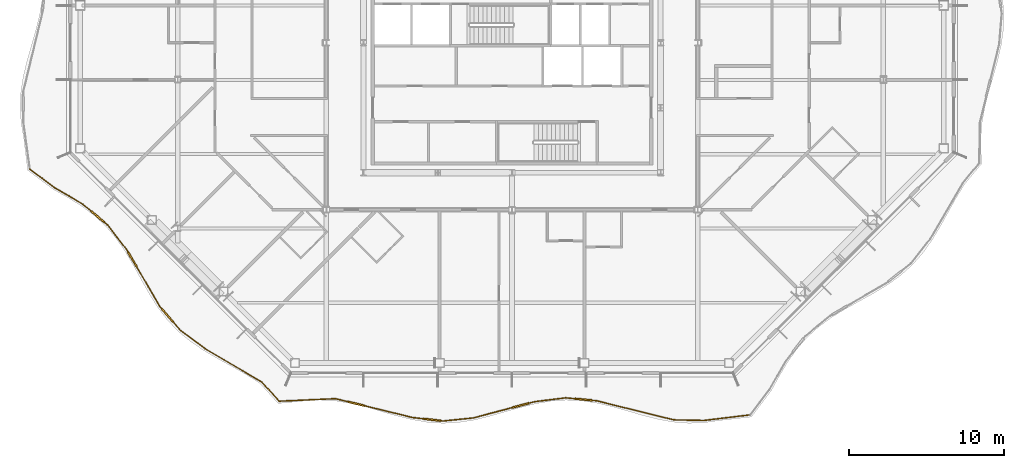
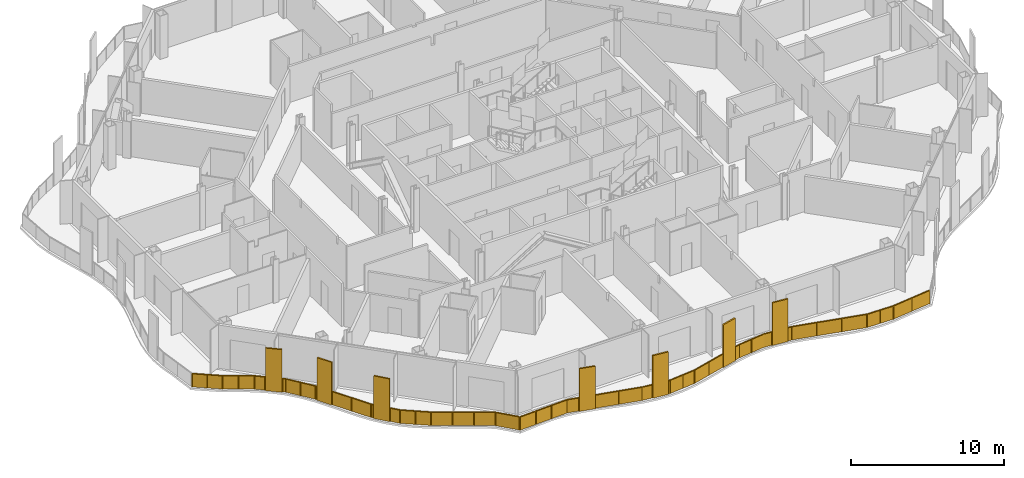
# One storey, part 15 of 21: 2 railings.
"""IFC4 building model written with IfcOpenShell, lengths in metres."""

from ifc_helpers import new_model, si_unit, direction, frame, origin, origin_2d, place, context, subcontext, project, spatial, polyline, rectangle, outline, extrude, material, type_object, element, save


model = new_model("IFC4")

# Units and contexts
model_context = context("Model", 3, precision=1e-05, world=origin(), true_north=direction((0.0, 1.0)))
body_context = subcontext(model_context, "Body", "Model", "MODEL_VIEW")
ifc_project = project(units=[si_unit("LENGTHUNIT", "METRE"), si_unit("AREAUNIT", "SQUARE_METRE"), si_unit("VOLUMEUNIT", "CUBIC_METRE"), si_unit("PLANEANGLEUNIT", "RADIAN"), si_unit("MASSUNIT", "GRAM", prefix="KILO")], contexts=[model_context])

# Site, building, storey
site_placement = place(None, origin())
site = spatial("IfcSite", under=ifc_project, at=site_placement, CompositionType="ELEMENT")
building_placement = place(site_placement, origin())
building = spatial("IfcBuilding", under=site, at=building_placement, Name="Cairn Pilgrim Tower", CompositionType="ELEMENT")
storey_placement = place(building_placement, frame((0.0, 0.0, 150.60009765625)))
storey = spatial("IfcBuildingStorey", under=building, at=storey_placement, Name="L37", CompositionType="ELEMENT", Elevation=150.60009765625)

# Railings
ifc_material = material(Name="Bronze anodised aluminium rail, posts and fin screens with laminated glass infill", Category="aluminium")
railing_type = type_object("IfcRailingType", Name="BALCONY GUARD WITH FIN SCREENS", PredefinedType="GUARDRAIL", material=ifc_material)
railing_1_placement = place(storey_placement, frame((-7.8486328125, -20.7666015625, 0.0)))
element("IfcRailing", 1, at=railing_1_placement, inside=storey, type_object=railing_type, Name="Balcony guard BGF-1 with fin screens", PredefinedType="GUARDRAIL", context=body_context, shape_type="SweptSolid", body=[
    extrude(rectangle(XDim=0.050048828125, YDim=0.050048828125, at=origin_2d()), frame((0.0, 0.0, 1.0751953125), z_axis=(0.999005340893, 0.044590681391, 0.0), x_axis=(-0.044590681391, 0.999005340893, 0.0)), (0.0, 0.0, 1.0), 3.646484375),
    extrude(rectangle(XDim=1.10009765625, YDim=0.110107421875, at=origin_2d()), frame((4.96533203125, -0.16064453125, 0.0), z_axis=(0.0, 0.0, 1.0), x_axis=(0.97139338886, -0.237476070539, 0.0)), (0.0, 0.0, 1.0), 3.39990234375),
    extrude(rectangle(XDim=0.050048828125, YDim=0.050048828125, at=origin_2d()), frame((3.642822265625, 0.16259765625, 1.0751953125), z_axis=(0.97139338886, -0.237476070539, 0.0), x_axis=(0.237476070539, 0.97139338886, 0.0)), (0.0, 0.0, 1.0), 0.811279296875),
    extrude(rectangle(XDim=0.050048828125, YDim=0.050048828125, at=origin_2d()), frame((5.49951171875, -0.291259765625, 1.0751953125), z_axis=(0.97139338886, -0.237476070539, 0.0), x_axis=(0.237476070539, 0.97139338886, 0.0)), (0.0, 0.0, 1.0), 3.21240234375),
    extrude(rectangle(XDim=1.10009765625, YDim=0.110107421875, at=origin_2d()), frame((9.885498046875, -1.201416015625, 0.0), z_axis=(0.0, 0.0, 1.0), x_axis=(0.993305070105, -0.115520724129, 0.0)), (0.0, 0.0, 1.0), 3.39990234375),
    extrude(rectangle(XDim=0.050048828125, YDim=0.050048828125, at=origin_2d()), frame((8.6201171875, -1.05419921875, 1.0751953125), z_axis=(0.993305070105, -0.115520724129, 0.0), x_axis=(0.115520724129, 0.993305070105, 0.0)), (0.0, 0.0, 1.0), 0.723876953125),
    extrude(rectangle(XDim=0.050048828125, YDim=0.050048828125, at=origin_2d()), frame((10.431884765625, -1.264892578125, 1.0751953125), z_axis=(0.993305070105, -0.115520724129, 0.0), x_axis=(0.115520724129, 0.993305070105, 0.0)), (0.0, 0.0, 1.0), 0.150146484375),
    extrude(rectangle(XDim=0.050048828125, YDim=0.050048828125, at=origin_2d()), frame((10.580810546875, -1.2822265625, 1.0751953125), z_axis=(0.994851257597, 0.101345820132, 0.0), x_axis=(-0.101345820132, 0.994851257597, 0.0)), (0.0, 0.0, 1.0), 1.96826171875),
    extrude(rectangle(XDim=1.10009765625, YDim=0.110107421875, at=origin_2d()), frame((15.602294921875, -0.269775390625, 0.0), z_axis=(0.0, 0.0, 1.0), x_axis=(0.966535100844, 0.256534400882, 0.0)), (0.0, 0.0, 1.0), 3.39990234375),
    extrude(rectangle(XDim=0.050048828125, YDim=0.050048828125, at=origin_2d()), frame((12.538818359375, -1.082763671875, 1.0751953125), z_axis=(0.966535100844, 0.256534400882, 0.0), x_axis=(-0.256534400882, 0.966535100844, 0.0)), (0.0, 0.0, 1.0), 2.61962890625),
    extrude(rectangle(XDim=0.050048828125, YDim=0.050048828125, at=origin_2d()), frame((16.1337890625, -0.128662109375, 1.0751953125), z_axis=(0.966535100844, 0.256534400882, 0.0), x_axis=(-0.256534400882, 0.966535100844, 0.0)), (0.0, 0.0, 1.0), 0.388916015625),
    extrude(rectangle(XDim=0.050048828125, YDim=0.050048828125, at=origin_2d()), frame((16.509765625, -0.02880859375, 1.0751953125), z_axis=(0.992651170077, 0.121010968696, 0.0), x_axis=(-0.121010968696, 0.992651170077, 0.0)), (0.0, 0.0, 1.0), 2.027587890625),
    extrude(rectangle(XDim=1.10009765625, YDim=0.110107421875, at=origin_2d()), frame((19.68408203125, 0.10498046875, 0.0), z_axis=(0.0, 0.0, 1.0), x_axis=(0.995421403398, -0.095583626514, 0.0)), (0.0, 0.0, 1.0), 3.39990234375),
    extrude(rectangle(XDim=0.050048828125, YDim=0.050048828125, at=origin_2d()), frame((18.5224609375, 0.216552734375, 1.0751953125), z_axis=(0.995421403398, -0.095583626514, 0.0), x_axis=(0.095583626514, 0.995421403398, 0.0)), (0.0, 0.0, 1.0), 0.616943359375),
    extrude(rectangle(XDim=0.050048828125, YDim=0.050048828125, at=origin_2d()), frame((20.231689453125, 0.052490234375, 1.0751953125), z_axis=(0.995421403398, -0.095583626514, 0.0), x_axis=(0.095583626514, 0.995421403398, 0.0)), (0.0, 0.0, 1.0), 0.305908203125),
    extrude(rectangle(XDim=0.050048828125, YDim=0.050048828125, at=origin_2d()), frame((20.5361328125, 0.023193359375, 1.0751953125), z_axis=(0.970657421305, -0.240466568292, 0.0), x_axis=(0.240466568292, 0.970657421305, 0.0)), (0.0, 0.0, 1.0), 5.10986328125),
    extrude(rectangle(XDim=0.050048828125, YDim=0.050048828125, at=origin_2d()), frame((25.49609375, -1.20556640625, 1.0751953125), z_axis=(0.999793681958, -0.020312398125, 0.0), x_axis=(0.020312398125, 0.999793681958, 0.0)), (0.0, 0.0, 1.0), 1.959228515625),
    extrude(rectangle(XDim=0.050048828125, YDim=0.050048828125, at=origin_2d()), frame((27.454833984375, -1.245361328125, 1.0751953125), z_axis=(0.992701364209, 0.120598513666, 0.0), x_axis=(-0.120598513666, 0.992701364209, 0.0)), (0.0, 0.0, 1.0), 2.947509765625),
    extrude(rectangle(XDim=0.050048828125, YDim=0.050048828125, at=origin_2d()), origin(), (0.0, 0.0, 1.0), 1.050048828125),
    extrude(rectangle(XDim=0.050048828125, YDim=0.050048828125, at=origin_2d()), frame((1.21435546875, 0.05419921875, 0.0)), (0.0, 0.0, 1.0), 1.050048828125),
    extrude(rectangle(XDim=0.050048828125, YDim=0.050048828125, at=origin_2d()), frame((2.428466796875, 0.1083984375, 0.0)), (0.0, 0.0, 1.0), 1.050048828125),
    extrude(rectangle(XDim=0.050048828125, YDim=0.050048828125, at=origin_2d()), frame((3.642822265625, 0.16259765625, 0.0)), (0.0, 0.0, 1.0), 1.050048828125),
    extrude(rectangle(XDim=0.050048828125, YDim=0.050048828125, at=origin_2d()), frame((4.40673828125, -0.024169921875, 0.0)), (0.0, 0.0, 1.0), 1.050048828125),
    extrude(rectangle(XDim=0.050048828125, YDim=0.050048828125, at=origin_2d()), frame((5.52392578125, -0.29736328125, 0.0)), (0.0, 0.0, 1.0), 1.050048828125),
    extrude(rectangle(XDim=0.050048828125, YDim=0.050048828125, at=origin_2d()), frame((7.072021484375, -0.67578125, 0.0)), (0.0, 0.0, 1.0), 1.050048828125),
    extrude(rectangle(XDim=0.050048828125, YDim=0.050048828125, at=origin_2d()), frame((8.6201171875, -1.05419921875, 0.0)), (0.0, 0.0, 1.0), 1.050048828125),
    extrude(rectangle(XDim=0.050048828125, YDim=0.050048828125, at=origin_2d()), frame((9.314208984375, -1.135009765625, 0.0)), (0.0, 0.0, 1.0), 1.050048828125),
    extrude(rectangle(XDim=0.050048828125, YDim=0.050048828125, at=origin_2d()), frame((10.45654296875, -1.267822265625, 0.0)), (0.0, 0.0, 1.0), 1.050048828125),
    extrude(rectangle(XDim=0.050048828125, YDim=0.050048828125, at=origin_2d()), frame((10.580810546875, -1.2822265625, 0.0)), (0.0, 0.0, 1.0), 1.050048828125),
    extrude(rectangle(XDim=0.050048828125, YDim=0.050048828125, at=origin_2d()), frame((11.559814453125, -1.1826171875, 0.0)), (0.0, 0.0, 1.0), 1.050048828125),
    extrude(rectangle(XDim=0.050048828125, YDim=0.050048828125, at=origin_2d()), frame((12.538818359375, -1.082763671875, 0.0)), (0.0, 0.0, 1.0), 1.050048828125),
    extrude(rectangle(XDim=0.050048828125, YDim=0.050048828125, at=origin_2d()), frame((13.792724609375, -0.75, 0.0)), (0.0, 0.0, 1.0), 1.050048828125),
    extrude(rectangle(XDim=0.050048828125, YDim=0.050048828125, at=origin_2d()), frame((15.04638671875, -0.417236328125, 0.0)), (0.0, 0.0, 1.0), 1.050048828125),
    extrude(rectangle(XDim=0.050048828125, YDim=0.050048828125, at=origin_2d()), frame((16.157958984375, -0.1220703125, 0.0)), (0.0, 0.0, 1.0), 1.050048828125),
    extrude(rectangle(XDim=0.050048828125, YDim=0.050048828125, at=origin_2d()), frame((16.509765625, -0.02880859375, 0.0)), (0.0, 0.0, 1.0), 1.050048828125),
    extrude(rectangle(XDim=0.050048828125, YDim=0.050048828125, at=origin_2d()), frame((17.51611328125, 0.09375, 0.0)), (0.0, 0.0, 1.0), 1.050048828125),
    extrude(rectangle(XDim=0.050048828125, YDim=0.050048828125, at=origin_2d()), frame((18.5224609375, 0.216552734375, 0.0)), (0.0, 0.0, 1.0), 1.050048828125),
    extrude(rectangle(XDim=0.050048828125, YDim=0.050048828125, at=origin_2d()), frame((19.11181640625, 0.159912109375, 0.0)), (0.0, 0.0, 1.0), 1.050048828125),
    extrude(rectangle(XDim=0.050048828125, YDim=0.050048828125, at=origin_2d()), frame((20.256591796875, 0.050048828125, 0.0)), (0.0, 0.0, 1.0), 1.050048828125),
    extrude(rectangle(XDim=0.050048828125, YDim=0.050048828125, at=origin_2d()), frame((20.5361328125, 0.023193359375, 0.0)), (0.0, 0.0, 1.0), 1.050048828125),
    extrude(rectangle(XDim=0.050048828125, YDim=0.050048828125, at=origin_2d()), frame((22.189453125, -0.386474609375, 0.0)), (0.0, 0.0, 1.0), 1.050048828125),
    extrude(rectangle(XDim=0.050048828125, YDim=0.050048828125, at=origin_2d()), frame((23.8427734375, -0.7958984375, 0.0)), (0.0, 0.0, 1.0), 1.050048828125),
    extrude(rectangle(XDim=0.050048828125, YDim=0.050048828125, at=origin_2d()), frame((25.49609375, -1.20556640625, 0.0)), (0.0, 0.0, 1.0), 1.050048828125),
    extrude(rectangle(XDim=0.050048828125, YDim=0.050048828125, at=origin_2d()), frame((26.4755859375, -1.2255859375, 0.0)), (0.0, 0.0, 1.0), 1.050048828125),
    extrude(rectangle(XDim=0.050048828125, YDim=0.050048828125, at=origin_2d()), frame((27.454833984375, -1.245361328125, 0.0)), (0.0, 0.0, 1.0), 1.050048828125),
    extrude(rectangle(XDim=0.050048828125, YDim=0.050048828125, at=origin_2d()), frame((28.91796875, -1.067626953125, 0.0)), (0.0, 0.0, 1.0), 1.050048828125),
    extrude(rectangle(XDim=0.050048828125, YDim=0.050048828125, at=origin_2d()), frame((30.380859375, -0.889892578125, 0.0)), (0.0, 0.0, 1.0), 1.050048828125),
    extrude(outline(polyline([(0.02490234375, 0.0), (1.1904296875, 0.0), (1.1904296875, 1.050048828125), (0.02490234375, 1.050048828125), (0.02490234375, 0.0)])), frame((-0.000244140625, 0.005859375, 0.0), z_axis=(0.044590681391, -0.999005340893, 0.0), x_axis=(0.999005340893, 0.044590681391, 0.0)), (0.0, 0.0, 1.0), 0.011962890625),
    extrude(outline(polyline([(0.02490234375, 0.0), (1.1904296875, 0.0), (1.1904296875, 1.050048828125), (0.02490234375, 1.050048828125), (0.02490234375, 0.0)])), frame((1.214111328125, 0.06005859375, 0.0), z_axis=(0.044590681391, -0.999005340893, 0.0), x_axis=(0.999005340893, 0.044590681391, 0.0)), (0.0, 0.0, 1.0), 0.011962890625),
    extrude(outline(polyline([(0.02490234375, 0.0), (1.1904296875, 0.0), (1.1904296875, 1.050048828125), (0.02490234375, 1.050048828125), (0.02490234375, 0.0)])), frame((2.42822265625, 0.1142578125, 0.0), z_axis=(0.044590681391, -0.999005340893, 0.0), x_axis=(0.999005340893, 0.044590681391, 0.0)), (0.0, 0.0, 1.0), 0.011962890625),
    extrude(outline(polyline([(0.02490234375, 0.0), (0.76123046875, 0.0), (0.76123046875, 1.050048828125), (0.02490234375, 1.050048828125), (0.02490234375, 0.0)])), frame((3.644287109375, 0.16845703125, 0.0), z_axis=(-0.237476070539, -0.97139338886, 0.0), x_axis=(0.97139338886, -0.237476070539, 0.0)), (0.0, 0.0, 1.0), 0.011962890625),
    extrude(outline(polyline([(0.02490234375, 0.0), (1.568603515625, 0.0), (1.568603515625, 1.050048828125), (0.02490234375, 1.050048828125), (0.02490234375, 0.0)])), frame((5.525146484375, -0.29150390625, 0.0), z_axis=(-0.237476070539, -0.97139338886, 0.0), x_axis=(0.97139338886, -0.237476070539, 0.0)), (0.0, 0.0, 1.0), 0.011962890625),
    extrude(outline(polyline([(0.02490234375, 0.0), (1.568603515625, 0.0), (1.568603515625, 1.050048828125), (0.02490234375, 1.050048828125), (0.02490234375, 0.0)])), frame((7.073486328125, -0.669921875, 0.0), z_axis=(-0.237476070539, -0.97139338886, 0.0), x_axis=(0.97139338886, -0.237476070539, 0.0)), (0.0, 0.0, 1.0), 0.011962890625),
    extrude(outline(polyline([(0.02490234375, 0.0), (0.673828125, 0.0), (0.673828125, 1.050048828125), (0.02490234375, 1.050048828125), (0.02490234375, 0.0)])), frame((8.620849609375, -1.04833984375, 0.0), z_axis=(-0.115520724129, -0.993305070105, 0.0), x_axis=(0.993305070105, -0.115520724129, 0.0)), (0.0, 0.0, 1.0), 0.011962890625),
    extrude(outline(polyline([(0.02490234375, 0.0), (0.10009765625, 0.0), (0.10009765625, 1.050048828125), (0.02490234375, 1.050048828125), (0.02490234375, 0.0)])), frame((10.457275390625, -1.261962890625, 0.0), z_axis=(-0.115520724129, -0.993305070105, 0.0), x_axis=(0.993305070105, -0.115520724129, 0.0)), (0.0, 0.0, 1.0), 0.011962890625),
    extrude(outline(polyline([(0.02490234375, 0.0), (0.958984375, 0.0), (0.958984375, 1.050048828125), (0.02490234375, 1.050048828125), (0.02490234375, 0.0)])), frame((10.580322265625, -1.2763671875, 0.0), z_axis=(0.101345820132, -0.994851257597, 0.0), x_axis=(0.994851257597, 0.101345820132, 0.0)), (0.0, 0.0, 1.0), 0.011962890625),
    extrude(outline(polyline([(0.02490234375, 0.0), (0.958984375, 0.0), (0.958984375, 1.050048828125), (0.02490234375, 1.050048828125), (0.02490234375, 0.0)])), frame((11.559326171875, -1.176513671875, 0.0), z_axis=(0.101345820132, -0.994851257597, 0.0), x_axis=(0.994851257597, 0.101345820132, 0.0)), (0.0, 0.0, 1.0), 0.011962890625),
    extrude(outline(polyline([(0.02490234375, 0.0), (1.272216796875, 0.0), (1.272216796875, 1.050048828125), (0.02490234375, 1.050048828125), (0.02490234375, 0.0)])), frame((12.537353515625, -1.076904296875, 0.0), z_axis=(0.256534400882, -0.966535100844, 0.0), x_axis=(0.966535100844, 0.256534400882, 0.0)), (0.0, 0.0, 1.0), 0.011962890625),
    extrude(outline(polyline([(0.02490234375, 0.0), (1.272216796875, 0.0), (1.272216796875, 1.050048828125), (0.02490234375, 1.050048828125), (0.02490234375, 0.0)])), frame((13.791015625, -0.744140625, 0.0), z_axis=(0.256534400882, -0.966535100844, 0.0), x_axis=(0.966535100844, 0.256534400882, 0.0)), (0.0, 0.0, 1.0), 0.011962890625),
    extrude(outline(polyline([(0.02490234375, 0.0), (0.3388671875, 0.0), (0.3388671875, 1.050048828125), (0.02490234375, 1.050048828125), (0.02490234375, 0.0)])), frame((16.156494140625, -0.116455078125, 0.0), z_axis=(0.256534400882, -0.966535100844, 0.0), x_axis=(0.966535100844, 0.256534400882, 0.0)), (0.0, 0.0, 1.0), 0.011962890625),
    extrude(outline(polyline([(0.02490234375, 0.0), (0.98876953125, 0.0), (0.98876953125, 1.050048828125), (0.02490234375, 1.050048828125), (0.02490234375, 0.0)])), frame((16.509033203125, -0.02294921875, 0.0), z_axis=(0.121010968696, -0.992651170077, 0.0), x_axis=(0.992651170077, 0.121010968696, 0.0)), (0.0, 0.0, 1.0), 0.011962890625),
    extrude(outline(polyline([(0.02490234375, 0.0), (0.98876953125, 0.0), (0.98876953125, 1.050048828125), (0.02490234375, 1.050048828125), (0.02490234375, 0.0)])), frame((17.515380859375, 0.099853515625, 0.0), z_axis=(0.121010968696, -0.992651170077, 0.0), x_axis=(0.992651170077, 0.121010968696, 0.0)), (0.0, 0.0, 1.0), 0.011962890625),
    extrude(outline(polyline([(0.02490234375, 0.0), (0.56689453125, 0.0), (0.56689453125, 1.050048828125), (0.02490234375, 1.050048828125), (0.02490234375, 0.0)])), frame((18.52294921875, 0.222412109375, 0.0), z_axis=(-0.095583626514, -0.995421403398, 0.0), x_axis=(0.995421403398, -0.095583626514, 0.0)), (0.0, 0.0, 1.0), 0.011962890625),
    extrude(outline(polyline([(0.02490234375, 0.0), (0.255859375, 0.0), (0.255859375, 1.050048828125), (0.02490234375, 1.050048828125), (0.02490234375, 0.0)])), frame((20.257080078125, 0.055908203125, 0.0), z_axis=(-0.095583626514, -0.995421403398, 0.0), x_axis=(0.995421403398, -0.095583626514, 0.0)), (0.0, 0.0, 1.0), 0.011962890625),
    extrude(outline(polyline([(0.02490234375, 0.0), (1.67822265625, 0.0), (1.67822265625, 1.050048828125), (0.02490234375, 1.050048828125), (0.02490234375, 0.0)])), frame((20.53759765625, 0.029052734375, 0.0), z_axis=(-0.240466568292, -0.970657421305, 0.0), x_axis=(0.970657421305, -0.240466568292, 0.0)), (0.0, 0.0, 1.0), 0.011962890625),
    extrude(outline(polyline([(0.02490234375, 0.0), (1.67822265625, 0.0), (1.67822265625, 1.050048828125), (0.02490234375, 1.050048828125), (0.02490234375, 0.0)])), frame((22.19091796875, -0.380615234375, 0.0), z_axis=(-0.240466568292, -0.970657421305, 0.0), x_axis=(0.970657421305, -0.240466568292, 0.0)), (0.0, 0.0, 1.0), 0.011962890625),
    extrude(outline(polyline([(0.02490234375, 0.0), (1.67822265625, 0.0), (1.67822265625, 1.050048828125), (0.02490234375, 1.050048828125), (0.02490234375, 0.0)])), frame((23.84423828125, -0.790283203125, 0.0), z_axis=(-0.240466568292, -0.970657421305, 0.0), x_axis=(0.970657421305, -0.240466568292, 0.0)), (0.0, 0.0, 1.0), 0.011962890625),
    extrude(outline(polyline([(0.02490234375, 0.0), (0.95458984375, 0.0), (0.95458984375, 1.050048828125), (0.02490234375, 1.050048828125), (0.02490234375, 0.0)])), frame((25.49609375, -1.19970703125, 0.0), z_axis=(-0.020312398125, -0.999793681958, 0.0), x_axis=(0.999793681958, -0.020312398125, 0.0)), (0.0, 0.0, 1.0), 0.011962890625),
    extrude(outline(polyline([(0.02490234375, 0.0), (0.95458984375, 0.0), (0.95458984375, 1.050048828125), (0.02490234375, 1.050048828125), (0.02490234375, 0.0)])), frame((26.4755859375, -1.219482421875, 0.0), z_axis=(-0.020312398125, -0.999793681958, 0.0), x_axis=(0.999793681958, -0.020312398125, 0.0)), (0.0, 0.0, 1.0), 0.011962890625),
    extrude(outline(polyline([(0.02490234375, 0.0), (1.44873046875, 0.0), (1.44873046875, 1.050048828125), (0.02490234375, 1.050048828125), (0.02490234375, 0.0)])), frame((27.4541015625, -1.239501953125, 0.0), z_axis=(0.120598513666, -0.992701364209, 0.0), x_axis=(0.992701364209, 0.120598513666, 0.0)), (0.0, 0.0, 1.0), 0.011962890625),
    extrude(outline(polyline([(0.02490234375, 0.0), (1.44873046875, 0.0), (1.44873046875, 1.050048828125), (0.02490234375, 1.050048828125), (0.02490234375, 0.0)])), frame((28.917236328125, -1.061767578125, 0.0), z_axis=(0.120598513666, -0.992701364209, 0.0), x_axis=(0.992701364209, 0.120598513666, 0.0)), (0.0, 0.0, 1.0), 0.011962890625),
])
railing_2_placement = place(storey_placement, frame((-23.97119140625, -5.7578125, 0.0)))
element("IfcRailing", 2, at=railing_2_placement, inside=storey, type_object=railing_type, Name="Balcony guard BGF-8 with fin screens", PredefinedType="GUARDRAIL", context=body_context, shape_type="SweptSolid", body=[
    extrude(rectangle(XDim=0.050048828125, YDim=0.050048828125, at=origin_2d()), frame((0.0, 0.0, 1.0751953125), z_axis=(0.800087512457, -0.599883298993, 0.0), x_axis=(0.599883298993, 0.800087512457, 0.0)), (0.0, 0.0, 1.0), 2.008544921875),
    extrude(rectangle(XDim=0.050048828125, YDim=0.050048828125, at=origin_2d()), frame((1.60693359375, -1.204833984375, 1.0751953125), z_axis=(0.861776337318, -0.507288423325, 0.0), x_axis=(0.507288423325, 0.861776337318, 0.0)), (0.0, 0.0, 1.0), 2.107421875),
    extrude(rectangle(XDim=1.10009765625, YDim=0.110107421875, at=origin_2d()), frame((4.396484375, -3.083251953125, 0.0), z_axis=(0.0, 0.0, 1.0), x_axis=(0.768992701317, -0.639257557892, 0.0)), (0.0, 0.0, 1.0), 3.39990234375),
    extrude(rectangle(XDim=0.050048828125, YDim=0.050048828125, at=origin_2d()), frame((3.423095703125, -2.27392578125, 1.0751953125), z_axis=(0.768992701317, -0.639257557892, 0.0), x_axis=(0.639257557892, 0.768992701317, 0.0)), (0.0, 0.0, 1.0), 0.7158203125),
    extrude(rectangle(XDim=0.050048828125, YDim=0.050048828125, at=origin_2d()), frame((4.819580078125, -3.434814453125, 1.0751953125), z_axis=(0.768992701317, -0.639257557892, 0.0), x_axis=(0.639257557892, 0.768992701317, 0.0)), (0.0, 0.0, 1.0), 0.2578125),
    extrude(rectangle(XDim=0.050048828125, YDim=0.050048828125, at=origin_2d()), frame((5.017822265625, -3.599609375, 1.0751953125), z_axis=(0.609665379207, -0.792658895993, 0.0), x_axis=(0.792658895993, 0.609665379207, 0.0)), (0.0, 0.0, 1.0), 2.079833984375),
    extrude(rectangle(XDim=1.10009765625, YDim=0.110107421875, at=origin_2d()), frame((6.638916015625, -5.85302734375, 0.0), z_axis=(0.0, 0.0, 1.0), x_axis=(0.504210138048, -0.863580996022, 0.0)), (0.0, 0.0, 1.0), 3.39990234375),
    extrude(rectangle(XDim=0.050048828125, YDim=0.050048828125, at=origin_2d()), frame((6.285888671875, -5.248291015625, 1.0751953125), z_axis=(0.504210138048, -0.863580996022, 0.0), x_axis=(0.863580996022, 0.504210138048, 0.0)), (0.0, 0.0, 1.0), 0.150146484375),
    extrude(rectangle(XDim=0.050048828125, YDim=0.050048828125, at=origin_2d()), frame((6.916259765625, -6.327880859375, 1.0751953125), z_axis=(0.504210138048, -0.863580996022, 0.0), x_axis=(0.863580996022, 0.504210138048, 0.0)), (0.0, 0.0, 1.0), 2.95703125),
    extrude(rectangle(XDim=1.10009765625, YDim=0.110107421875, at=origin_2d()), frame((8.892822265625, -9.447509765625, 0.0), z_axis=(0.0, 0.0, 1.0), x_axis=(0.651111082643, -0.758982449112, 0.0)), (0.0, 0.0, 1.0), 3.39990234375),
    extrude(rectangle(XDim=0.050048828125, YDim=0.050048828125, at=origin_2d()), frame((8.4072265625, -8.881591796875, 1.0751953125), z_axis=(0.651111082643, -0.758982449112, 0.0), x_axis=(0.758982449112, 0.651111082643, 0.0)), (0.0, 0.0, 1.0), 0.19580078125),
    extrude(rectangle(XDim=0.050048828125, YDim=0.050048828125, at=origin_2d()), frame((9.2509765625, -9.864990234375, 1.0751953125), z_axis=(0.651111082643, -0.758982449112, 0.0), x_axis=(0.758982449112, 0.651111082643, 0.0)), (0.0, 0.0, 1.0), 0.71630859375),
    extrude(rectangle(XDim=0.050048828125, YDim=0.050048828125, at=origin_2d()), frame((9.71728515625, -10.40869140625, 1.0751953125), z_axis=(0.801208831371, -0.598384833141, 0.0), x_axis=(0.598384833141, 0.801208831371, 0.0)), (0.0, 0.0, 1.0), 2.032958984375),
    extrude(rectangle(XDim=0.050048828125, YDim=0.050048828125, at=origin_2d()), frame((11.34619140625, -11.625244140625, 1.0751953125), z_axis=(0.862661444135, -0.50578180355, 0.0), x_axis=(0.50578180355, 0.862661444135, 0.0)), (0.0, 0.0, 1.0), 4.2236328125),
    extrude(rectangle(XDim=0.050048828125, YDim=0.050048828125, at=origin_2d()), frame((14.98974609375, -13.761474609375, 1.0751953125), z_axis=(0.672336207913, -0.740245920981, 0.0), x_axis=(0.740245920981, 0.672336207913, 0.0)), (0.0, 0.0, 1.0), 1.625),
    extrude(rectangle(XDim=0.050048828125, YDim=0.050048828125, at=origin_2d()), origin(), (0.0, 0.0, 1.0), 1.050048828125),
    extrude(rectangle(XDim=0.050048828125, YDim=0.050048828125, at=origin_2d()), frame((0.803466796875, -0.6025390625, 0.0)), (0.0, 0.0, 1.0), 1.050048828125),
    extrude(rectangle(XDim=0.050048828125, YDim=0.050048828125, at=origin_2d()), frame((1.60693359375, -1.204833984375, 0.0)), (0.0, 0.0, 1.0), 1.050048828125),
    extrude(rectangle(XDim=0.050048828125, YDim=0.050048828125, at=origin_2d()), frame((2.51513671875, -1.7392578125, 0.0)), (0.0, 0.0, 1.0), 1.050048828125),
    extrude(rectangle(XDim=0.050048828125, YDim=0.050048828125, at=origin_2d()), frame((3.423095703125, -2.27392578125, 0.0)), (0.0, 0.0, 1.0), 1.050048828125),
    extrude(rectangle(XDim=0.050048828125, YDim=0.050048828125, at=origin_2d()), frame((3.954345703125, -2.715576171875, 0.0)), (0.0, 0.0, 1.0), 1.050048828125),
    extrude(rectangle(XDim=0.050048828125, YDim=0.050048828125, at=origin_2d()), frame((4.838623046875, -3.45068359375, 0.0)), (0.0, 0.0, 1.0), 1.050048828125),
    extrude(rectangle(XDim=0.050048828125, YDim=0.050048828125, at=origin_2d()), frame((5.017822265625, -3.599609375, 0.0)), (0.0, 0.0, 1.0), 1.050048828125),
    extrude(rectangle(XDim=0.050048828125, YDim=0.050048828125, at=origin_2d()), frame((5.65185546875, -4.423828125, 0.0)), (0.0, 0.0, 1.0), 1.050048828125),
    extrude(rectangle(XDim=0.050048828125, YDim=0.050048828125, at=origin_2d()), frame((6.285888671875, -5.248291015625, 0.0)), (0.0, 0.0, 1.0), 1.050048828125),
    extrude(rectangle(XDim=0.050048828125, YDim=0.050048828125, at=origin_2d()), frame((6.348876953125, -5.3564453125, 0.0)), (0.0, 0.0, 1.0), 1.050048828125),
    extrude(rectangle(XDim=0.050048828125, YDim=0.050048828125, at=origin_2d()), frame((6.928955078125, -6.349609375, 0.0)), (0.0, 0.0, 1.0), 1.050048828125),
    extrude(rectangle(XDim=0.050048828125, YDim=0.050048828125, at=origin_2d()), frame((7.66796875, -7.615478515625, 0.0)), (0.0, 0.0, 1.0), 1.050048828125),
    extrude(rectangle(XDim=0.050048828125, YDim=0.050048828125, at=origin_2d()), frame((8.4072265625, -8.881591796875, 0.0)), (0.0, 0.0, 1.0), 1.050048828125),
    extrude(rectangle(XDim=0.050048828125, YDim=0.050048828125, at=origin_2d()), frame((8.518310546875, -9.01123046875, 0.0)), (0.0, 0.0, 1.0), 1.050048828125),
    extrude(rectangle(XDim=0.050048828125, YDim=0.050048828125, at=origin_2d()), frame((9.26708984375, -9.884033203125, 0.0)), (0.0, 0.0, 1.0), 1.050048828125),
    extrude(rectangle(XDim=0.050048828125, YDim=0.050048828125, at=origin_2d()), frame((9.71728515625, -10.40869140625, 0.0)), (0.0, 0.0, 1.0), 1.050048828125),
    extrude(rectangle(XDim=0.050048828125, YDim=0.050048828125, at=origin_2d()), frame((10.53173828125, -11.01708984375, 0.0)), (0.0, 0.0, 1.0), 1.050048828125),
    extrude(rectangle(XDim=0.050048828125, YDim=0.050048828125, at=origin_2d()), frame((11.34619140625, -11.625244140625, 0.0)), (0.0, 0.0, 1.0), 1.050048828125),
    extrude(rectangle(XDim=0.050048828125, YDim=0.050048828125, at=origin_2d()), frame((12.560791015625, -12.33740234375, 0.0)), (0.0, 0.0, 1.0), 1.050048828125),
    extrude(rectangle(XDim=0.050048828125, YDim=0.050048828125, at=origin_2d()), frame((13.775146484375, -13.04931640625, 0.0)), (0.0, 0.0, 1.0), 1.050048828125),
    extrude(rectangle(XDim=0.050048828125, YDim=0.050048828125, at=origin_2d()), frame((14.98974609375, -13.761474609375, 0.0)), (0.0, 0.0, 1.0), 1.050048828125),
    extrude(rectangle(XDim=0.050048828125, YDim=0.050048828125, at=origin_2d()), frame((16.082275390625, -14.96435546875, 0.0)), (0.0, 0.0, 1.0), 1.050048828125),
    extrude(outline(polyline([(0.02490234375, 0.0), (0.979248046875, 0.0), (0.979248046875, 1.050048828125), (0.02490234375, 1.050048828125), (0.02490234375, 0.0)])), frame((0.003662109375, 0.0048828125, 0.0), z_axis=(-0.599883298993, -0.800087512457, 0.0), x_axis=(0.800087512457, -0.599883298993, 0.0)), (0.0, 0.0, 1.0), 0.011962890625),
    extrude(outline(polyline([(0.02490234375, 0.0), (0.979248046875, 0.0), (0.979248046875, 1.050048828125), (0.02490234375, 1.050048828125), (0.02490234375, 0.0)])), frame((0.80712890625, -0.59765625, 0.0), z_axis=(-0.599883298993, -0.800087512457, 0.0), x_axis=(0.800087512457, -0.599883298993, 0.0)), (0.0, 0.0, 1.0), 0.011962890625),
    extrude(outline(polyline([(0.02490234375, 0.0), (1.02880859375, 0.0), (1.02880859375, 1.050048828125), (0.02490234375, 1.050048828125), (0.02490234375, 0.0)])), frame((1.60986328125, -1.19970703125, 0.0), z_axis=(-0.507288423325, -0.861776337318, 0.0), x_axis=(0.861776337318, -0.507288423325, 0.0)), (0.0, 0.0, 1.0), 0.011962890625),
    extrude(outline(polyline([(0.02490234375, 0.0), (1.02880859375, 0.0), (1.02880859375, 1.050048828125), (0.02490234375, 1.050048828125), (0.02490234375, 0.0)])), frame((2.51806640625, -1.734130859375, 0.0), z_axis=(-0.507288423325, -0.861776337318, 0.0), x_axis=(0.861776337318, -0.507288423325, 0.0)), (0.0, 0.0, 1.0), 0.011962890625),
    extrude(outline(polyline([(0.02490234375, 0.0), (0.665771484375, 0.0), (0.665771484375, 1.050048828125), (0.02490234375, 1.050048828125), (0.02490234375, 0.0)])), frame((3.427001953125, -2.269287109375, 0.0), z_axis=(-0.639257557892, -0.768992701317, 0.0), x_axis=(0.768992701317, -0.639257557892, 0.0)), (0.0, 0.0, 1.0), 0.011962890625),
    extrude(outline(polyline([(0.02490234375, 0.0), (0.207763671875, 0.0), (0.207763671875, 1.050048828125), (0.02490234375, 1.050048828125), (0.02490234375, 0.0)])), frame((4.842529296875, -3.446044921875, 0.0), z_axis=(-0.639257557892, -0.768992701317, 0.0), x_axis=(0.768992701317, -0.639257557892, 0.0)), (0.0, 0.0, 1.0), 0.011962890625),
    extrude(outline(polyline([(0.02490234375, 0.0), (1.014892578125, 0.0), (1.014892578125, 1.050048828125), (0.02490234375, 1.050048828125), (0.02490234375, 0.0)])), frame((5.0224609375, -3.595947265625, 0.0), z_axis=(-0.792658895993, -0.609665379207, 0.0), x_axis=(0.609665379207, -0.792658895993, 0.0)), (0.0, 0.0, 1.0), 0.011962890625),
    extrude(outline(polyline([(0.02490234375, 0.0), (1.014892578125, 0.0), (1.014892578125, 1.050048828125), (0.02490234375, 1.050048828125), (0.02490234375, 0.0)])), frame((5.656494140625, -4.42041015625, 0.0), z_axis=(-0.792658895993, -0.609665379207, 0.0), x_axis=(0.609665379207, -0.792658895993, 0.0)), (0.0, 0.0, 1.0), 0.011962890625),
    extrude(outline(polyline([(0.02490234375, 0.0), (0.10009765625, 0.0), (0.10009765625, 1.050048828125), (0.02490234375, 1.050048828125), (0.02490234375, 0.0)])), frame((6.291015625, -5.245361328125, 0.0), z_axis=(-0.863580996022, -0.504210138048, 0.0), x_axis=(0.504210138048, -0.863580996022, 0.0)), (0.0, 0.0, 1.0), 0.011962890625),
    extrude(outline(polyline([(0.02490234375, 0.0), (1.44091796875, 0.0), (1.44091796875, 1.050048828125), (0.02490234375, 1.050048828125), (0.02490234375, 0.0)])), frame((6.93408203125, -6.346435546875, 0.0), z_axis=(-0.863580996022, -0.504210138048, 0.0), x_axis=(0.504210138048, -0.863580996022, 0.0)), (0.0, 0.0, 1.0), 0.011962890625),
    extrude(outline(polyline([(0.02490234375, 0.0), (1.44091796875, 0.0), (1.44091796875, 1.050048828125), (0.02490234375, 1.050048828125), (0.02490234375, 0.0)])), frame((7.673095703125, -7.612548828125, 0.0), z_axis=(-0.863580996022, -0.504210138048, 0.0), x_axis=(0.504210138048, -0.863580996022, 0.0)), (0.0, 0.0, 1.0), 0.011962890625),
    extrude(outline(polyline([(0.02490234375, 0.0), (0.145751953125, 0.0), (0.145751953125, 1.050048828125), (0.02490234375, 1.050048828125), (0.02490234375, 0.0)])), frame((8.411865234375, -8.877685546875, 0.0), z_axis=(-0.758982449112, -0.651111082643, 0.0), x_axis=(0.651111082643, -0.758982449112, 0.0)), (0.0, 0.0, 1.0), 0.011962890625),
    extrude(outline(polyline([(0.02490234375, 0.0), (0.666259765625, 0.0), (0.666259765625, 1.050048828125), (0.02490234375, 1.050048828125), (0.02490234375, 0.0)])), frame((9.271728515625, -9.880126953125, 0.0), z_axis=(-0.758982449112, -0.651111082643, 0.0), x_axis=(0.651111082643, -0.758982449112, 0.0)), (0.0, 0.0, 1.0), 0.011962890625),
    extrude(outline(polyline([(0.02490234375, 0.0), (0.991455078125, 0.0), (0.991455078125, 1.050048828125), (0.02490234375, 1.050048828125), (0.02490234375, 0.0)])), frame((9.720947265625, -10.40380859375, 0.0), z_axis=(-0.598384833141, -0.801208831371, 0.0), x_axis=(0.801208831371, -0.598384833141, 0.0)), (0.0, 0.0, 1.0), 0.011962890625),
    extrude(outline(polyline([(0.02490234375, 0.0), (0.991455078125, 0.0), (0.991455078125, 1.050048828125), (0.02490234375, 1.050048828125), (0.02490234375, 0.0)])), frame((10.535400390625, -11.01220703125, 0.0), z_axis=(-0.598384833141, -0.801208831371, 0.0), x_axis=(0.801208831371, -0.598384833141, 0.0)), (0.0, 0.0, 1.0), 0.011962890625),
    extrude(outline(polyline([(0.02490234375, 0.0), (1.3828125, 0.0), (1.3828125, 1.050048828125), (0.02490234375, 1.050048828125), (0.02490234375, 0.0)])), frame((11.34912109375, -11.6201171875, 0.0), z_axis=(-0.50578180355, -0.862661444135, 0.0), x_axis=(0.862661444135, -0.50578180355, 0.0)), (0.0, 0.0, 1.0), 0.011962890625),
    extrude(outline(polyline([(0.02490234375, 0.0), (1.3828125, 0.0), (1.3828125, 1.050048828125), (0.02490234375, 1.050048828125), (0.02490234375, 0.0)])), frame((12.563720703125, -12.332275390625, 0.0), z_axis=(-0.50578180355, -0.862661444135, 0.0), x_axis=(0.862661444135, -0.50578180355, 0.0)), (0.0, 0.0, 1.0), 0.011962890625),
    extrude(outline(polyline([(0.02490234375, 0.0), (1.3828125, 0.0), (1.3828125, 1.050048828125), (0.02490234375, 1.050048828125), (0.02490234375, 0.0)])), frame((13.7783203125, -13.044189453125, 0.0), z_axis=(-0.50578180355, -0.862661444135, 0.0), x_axis=(0.862661444135, -0.50578180355, 0.0)), (0.0, 0.0, 1.0), 0.011962890625),
    extrude(outline(polyline([(0.02490234375, 0.0), (1.599853515625, 0.0), (1.599853515625, 1.050048828125), (0.02490234375, 1.050048828125), (0.02490234375, 0.0)])), frame((14.994140625, -13.757568359375, 0.0), z_axis=(-0.740245920981, -0.672336207913, 0.0), x_axis=(0.672336207913, -0.740245920981, 0.0)), (0.0, 0.0, 1.0), 0.011962890625),
])

save(model, "model.ifc")
